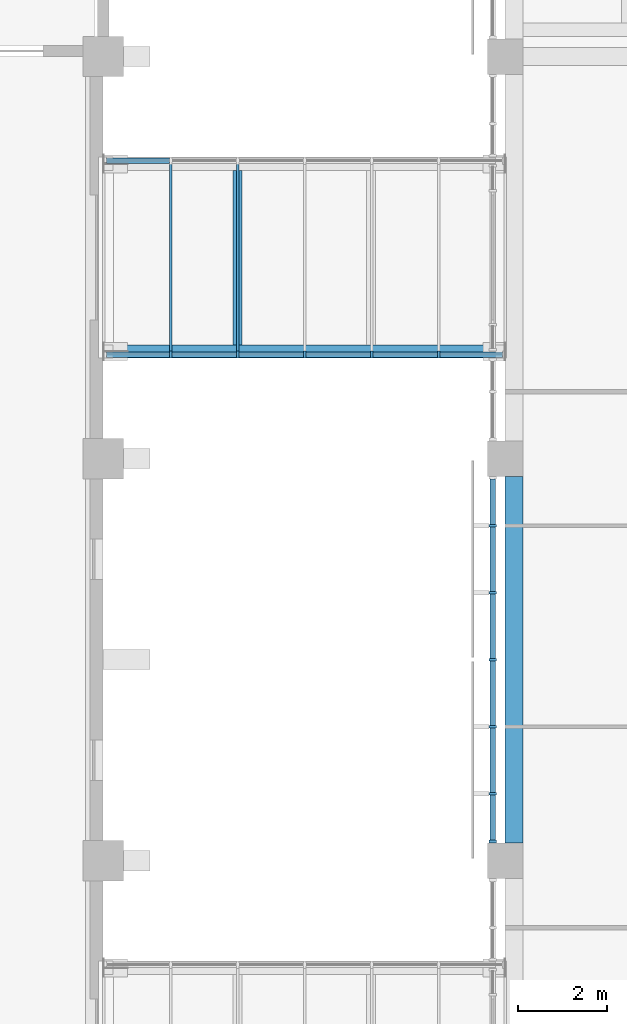
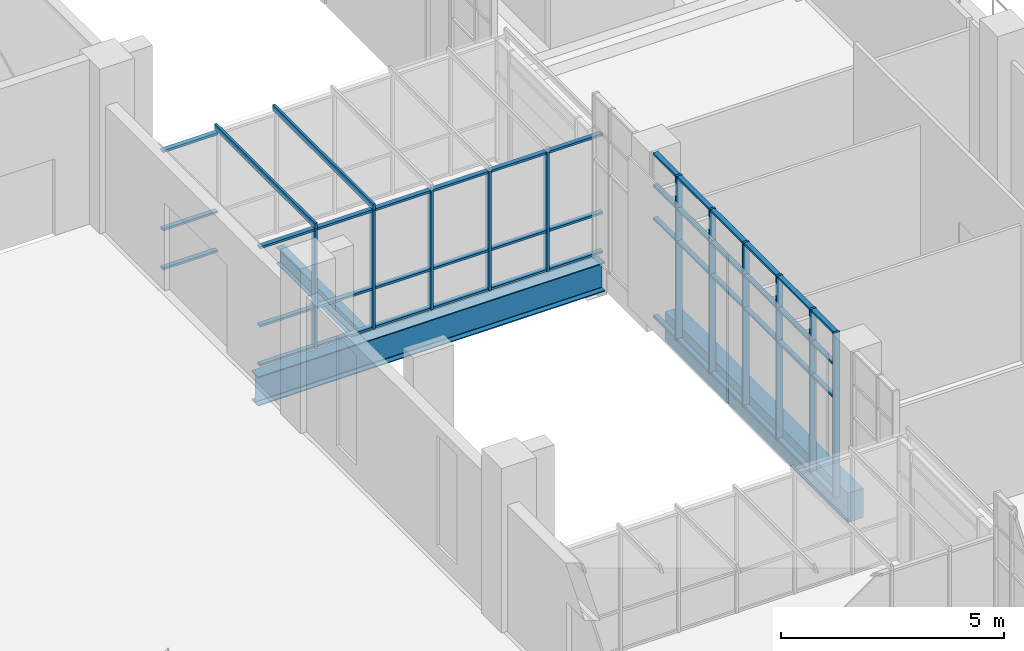
# One storey, part 15 of 88: 58 members, 3 beams, 4 elements without a shape of their own.
"""IFC4 building model written with IfcOpenShell, lengths in metres."""

from ifc_helpers import new_model, si_unit, direction, frame, origin, origin_2d, place, context, subcontext, project, spatial, rectangle, i_section, extrude, material, layer, layer_set, material_profile, profile_set, type_object, element, aggregate, save


model = new_model("IFC4")

# Units and contexts
model_context = context("Model", 3, precision=1e-05, world=origin(), true_north=direction((0.0, 1.0)))
body_context = subcontext(model_context, "Body", "Model", "MODEL_VIEW")
ifc_project = project(units=[si_unit("LENGTHUNIT", "METRE"), si_unit("AREAUNIT", "SQUARE_METRE"), si_unit("VOLUMEUNIT", "CUBIC_METRE"), si_unit("PLANEANGLEUNIT", "RADIAN"), si_unit("MASSUNIT", "GRAM", prefix="KILO")], contexts=[model_context])

# Site, building, storey
site_placement = place(None, origin())
site = spatial("IfcSite", under=ifc_project, at=site_placement, CompositionType="ELEMENT")
building_placement = place(site_placement, origin())
building = spatial("IfcBuilding", under=site, at=building_placement, Name="Guidao Yard Department Store", CompositionType="ELEMENT")
storey_placement = place(building_placement, frame((0.0, 0.0, 6.0)))
storey = spatial("IfcBuildingStorey", under=building, at=storey_placement, Name="L01", CompositionType="ELEMENT", Elevation=6.0)

# Beams
ifc_material_1 = material(Name="Concrete C40", Category="concrete")
ifc_material_profile_1 = material_profile(ifc_material_1, rectangle(XDim=0.39990234375, YDim=0.800048828125, at=origin_2d()), Name="Edge beam 400 x 800 C40")
ifc_profile_set_1 = profile_set([ifc_material_profile_1], Name="Concrete C40")
beam_type_1 = type_object("IfcBeamType", Name="Edge beam 400 x 800 C40", PredefinedType="BEAM", material=ifc_profile_set_1)
beam_1_placement = place(storey_placement, frame((72.199951171875, 63.39990234375, -0.39990234375), z_axis=(0.0, 1.0, 0.0), x_axis=(-1.0, 0.0, 0.0)))
element("IfcBeam", 1, at=beam_1_placement, inside=storey, type_object=beam_type_1, Name="Beam EB29", PredefinedType="BEAM", context=body_context, shape_type="SweptSolid", body=[
    extrude(rectangle(XDim=0.39990234375, YDim=0.800048828125, at=origin_2d()), origin(), (0.0, 0.0, 1.0), 8.2001953125),
])
ifc_material_2 = material(Name="Steel Q355B", Category="steel")
ifc_material_profile_2 = material_profile(ifc_material_2, i_section(OverallWidth=0.199951171875, OverallDepth=0.449951171875, WebThickness=0.009033203125, FlangeThickness=0.013916015625, FilletRadius=0.012939453125, at=origin_2d()), Name="HN 450x200x9x14")
ifc_profile_set_2 = profile_set([ifc_material_profile_2], Name="Steel Q355B")
beam_type_2 = type_object("IfcBeamType", Name="HN 450x200x9x14", PredefinedType="BEAM", material=ifc_profile_set_2)
beam_2_placement = place(storey_placement, frame((66.0048828125, 74.550048828125, -0.47509765625), z_axis=(0.0, 1.0, 0.0), x_axis=(-1.0, 0.0, 0.0)))
element("IfcBeam", 2, at=beam_2_placement, inside=storey, type_object=beam_type_2, Name="Bridge cross beam BR02-1", PredefinedType="BEAM", context=body_context, shape_type="SweptSolid", body=[
    extrude(i_section(OverallWidth=0.199951171875, OverallDepth=0.449951171875, WebThickness=0.009033203125, FlangeThickness=0.013916015625, FilletRadius=0.012939453125, at=origin_2d()), origin(), (0.0, 0.0, 1.0), 3.89990234375),
])
ifc_material_3 = material(Name="Steel Q355B", Category="steel")
ifc_material_profile_3 = material_profile(ifc_material_3, i_section(OverallWidth=0.300048828125, OverallDepth=0.800048828125, WebThickness=0.013916015625, FlangeThickness=0.02587890625, FilletRadius=0.01806640625, at=origin_2d()), Name="HN 800x300x14x26")
ifc_profile_set_3 = profile_set([ifc_material_profile_3], Name="Steel Q355B")
beam_type_3 = type_object("IfcBeamType", Name="HN 800x300x14x26", PredefinedType="BEAM", material=ifc_profile_set_3)
beam_3_placement = place(storey_placement, frame((63.014892578125, 74.39990234375, -0.64990234375), z_axis=(1.0, 0.0, 0.0), x_axis=(0.0, 1.0, 0.0)))
element("IfcBeam", 3, at=beam_3_placement, inside=storey, type_object=beam_type_3, Name="Bridge girder BR02S", PredefinedType="BEAM", context=body_context, shape_type="SweptSolid", body=[
    extrude(i_section(OverallWidth=0.300048828125, OverallDepth=0.800048828125, WebThickness=0.013916015625, FlangeThickness=0.02587890625, FilletRadius=0.01806640625, at=origin_2d()), origin(), (0.0, 0.0, 1.0), 8.97021484375),
])

# Curtain wall, members
ifc_material_4 = material(Name="Aluminium and glass", Category="aluminium")
ifc_layer_1 = layer(ifc_material_4, 0.159912109375)
ifc_layer_set_1 = layer_set([ifc_layer_1], Name="Shopfront curtain wall CW1 1500 module")
curtain_wall_type_1 = type_object("IfcCurtainWallType", Name="Shopfront curtain wall CW1 1500 module", PredefinedType="NOTDEFINED", material=ifc_layer_set_1)
curtain_wall_1_placement = place(storey_placement, origin())
curtain_wall_1 = element("IfcCurtainWall", 4, at=curtain_wall_1_placement, inside=storey, type_object=curtain_wall_type_1, Name="Arcade shop front", PredefinedType="NOTDEFINED")
ifc_material_5 = material(Name="Aluminium 6063-T5", Category="aluminium")
ifc_material_profile_4 = material_profile(ifc_material_5, rectangle(XDim=0.06005859375, YDim=0.159912109375, at=origin_2d()), Name="Mullion M1 60 x 160 aluminium pressure plate")
ifc_profile_set_4 = profile_set([ifc_material_profile_4], Name="Aluminium 6063-T5")
member_type_1 = type_object("IfcMemberType", Name="Mullion M1 60 x 160 aluminium pressure plate", PredefinedType="MULLION", material=ifc_profile_set_4)
member_1_placement = place(storey_placement, frame((71.719970703125, 63.429931640625, 0.0), z_axis=(0.0, 0.0, 1.0), x_axis=(0.0, 1.0, 0.0)))
member_1 = element("IfcMember", 5, at=member_1_placement, type_object=member_type_1, Name="CW-AS-L01-05 mullion 1", PredefinedType="MULLION", context=body_context, shape_type="SweptSolid", body=[
    extrude(rectangle(XDim=0.06005859375, YDim=0.159912109375, at=origin_2d()), origin(), (0.0, 0.0, 1.0), 4.5),
])
member_2_placement = place(storey_placement, frame((71.719970703125, 64.5, 0.0), z_axis=(0.0, 0.0, 1.0), x_axis=(0.0, 1.0, 0.0)))
member_2 = element("IfcMember", 6, at=member_2_placement, type_object=member_type_1, Name="CW-AS-L01-05 mullion 2", PredefinedType="MULLION", context=body_context, shape_type="SweptSolid", body=[
    extrude(rectangle(XDim=0.06005859375, YDim=0.159912109375, at=origin_2d()), origin(), (0.0, 0.0, 1.0), 4.5),
])
member_3_placement = place(storey_placement, frame((71.719970703125, 66.0, 0.0), z_axis=(0.0, 0.0, 1.0), x_axis=(0.0, 1.0, 0.0)))
member_3 = element("IfcMember", 7, at=member_3_placement, type_object=member_type_1, Name="CW-AS-L01-05 mullion 3", PredefinedType="MULLION", context=body_context, shape_type="SweptSolid", body=[
    extrude(rectangle(XDim=0.06005859375, YDim=0.159912109375, at=origin_2d()), origin(), (0.0, 0.0, 1.0), 4.5),
])
member_4_placement = place(storey_placement, frame((71.719970703125, 67.5, 0.0), z_axis=(0.0, 0.0, 1.0), x_axis=(0.0, 1.0, 0.0)))
member_4 = element("IfcMember", 8, at=member_4_placement, type_object=member_type_1, Name="CW-AS-L01-05 mullion 4", PredefinedType="MULLION", context=body_context, shape_type="SweptSolid", body=[
    extrude(rectangle(XDim=0.06005859375, YDim=0.159912109375, at=origin_2d()), origin(), (0.0, 0.0, 1.0), 4.5),
])
member_5_placement = place(storey_placement, frame((71.719970703125, 69.0, 0.0), z_axis=(0.0, 0.0, 1.0), x_axis=(0.0, 1.0, 0.0)))
member_5 = element("IfcMember", 9, at=member_5_placement, type_object=member_type_1, Name="CW-AS-L01-05 mullion 5", PredefinedType="MULLION", context=body_context, shape_type="SweptSolid", body=[
    extrude(rectangle(XDim=0.06005859375, YDim=0.159912109375, at=origin_2d()), origin(), (0.0, 0.0, 1.0), 4.5),
])
member_6_placement = place(storey_placement, frame((71.719970703125, 70.5, 0.0), z_axis=(0.0, 0.0, 1.0), x_axis=(0.0, 1.0, 0.0)))
member_6 = element("IfcMember", 10, at=member_6_placement, type_object=member_type_1, Name="CW-AS-L01-05 mullion 6", PredefinedType="MULLION", context=body_context, shape_type="SweptSolid", body=[
    extrude(rectangle(XDim=0.06005859375, YDim=0.159912109375, at=origin_2d()), origin(), (0.0, 0.0, 1.0), 4.5),
])

ifc_material_6 = material(Name="Aluminium and glass", Category="aluminium")
ifc_layer_2 = layer(ifc_material_6, 0.159912109375)
ifc_layer_set_2 = layer_set([ifc_layer_2], Name="Bridge glazing CW5 1500 module")
curtain_wall_type_2 = type_object("IfcCurtainWallType", Name="Bridge glazing CW5 1500 module", PredefinedType="NOTDEFINED", material=ifc_layer_set_2)
curtain_wall_2_placement = place(storey_placement, origin())
curtain_wall_2 = element("IfcCurtainWall", 11, at=curtain_wall_2_placement, inside=storey, type_object=curtain_wall_type_2, Name="Bridge glazing BR02 S", PredefinedType="NOTDEFINED")
member_7_placement = place(storey_placement, frame((64.514892578125, 74.330078125, 0.0), z_axis=(0.0, 0.0, 1.0), x_axis=(-1.0, 0.0, 0.0)))
member_7 = element("IfcMember", 12, at=member_7_placement, type_object=member_type_1, Name="CW-S-L01-03 mullion 2", PredefinedType="MULLION", context=body_context, shape_type="SweptSolid", body=[
    extrude(rectangle(XDim=0.06005859375, YDim=0.159912109375, at=origin_2d()), origin(), (0.0, 0.0, 1.0), 3.27001953125),
])
member_8_placement = place(storey_placement, frame((66.014892578125, 74.330078125, 0.0), z_axis=(0.0, 0.0, 1.0), x_axis=(-1.0, 0.0, 0.0)))
member_8 = element("IfcMember", 13, at=member_8_placement, type_object=member_type_1, Name="CW-S-L01-03 mullion 3", PredefinedType="MULLION", context=body_context, shape_type="SweptSolid", body=[
    extrude(rectangle(XDim=0.06005859375, YDim=0.159912109375, at=origin_2d()), origin(), (0.0, 0.0, 1.0), 3.27001953125),
])
member_9_placement = place(storey_placement, frame((67.514892578125, 74.330078125, 0.0), z_axis=(0.0, 0.0, 1.0), x_axis=(-1.0, 0.0, 0.0)))
member_9 = element("IfcMember", 14, at=member_9_placement, type_object=member_type_1, Name="CW-S-L01-03 mullion 4", PredefinedType="MULLION", context=body_context, shape_type="SweptSolid", body=[
    extrude(rectangle(XDim=0.06005859375, YDim=0.159912109375, at=origin_2d()), origin(), (0.0, 0.0, 1.0), 3.27001953125),
])
member_10_placement = place(storey_placement, frame((69.014892578125, 74.330078125, 0.0), z_axis=(0.0, 0.0, 1.0), x_axis=(-1.0, 0.0, 0.0)))
member_10 = element("IfcMember", 15, at=member_10_placement, type_object=member_type_1, Name="CW-S-L01-03 mullion 5", PredefinedType="MULLION", context=body_context, shape_type="SweptSolid", body=[
    extrude(rectangle(XDim=0.06005859375, YDim=0.159912109375, at=origin_2d()), origin(), (0.0, 0.0, 1.0), 3.27001953125),
])
member_11_placement = place(storey_placement, frame((70.514892578125, 74.330078125, 0.0), z_axis=(0.0, 0.0, 1.0), x_axis=(-1.0, 0.0, 0.0)))
member_11 = element("IfcMember", 16, at=member_11_placement, type_object=member_type_1, Name="CW-S-L01-03 mullion 6", PredefinedType="MULLION", context=body_context, shape_type="SweptSolid", body=[
    extrude(rectangle(XDim=0.06005859375, YDim=0.159912109375, at=origin_2d()), origin(), (0.0, 0.0, 1.0), 3.27001953125),
])

curtain_wall_3_placement = place(storey_placement, origin())
curtain_wall_3 = element("IfcCurtainWall", 17, at=curtain_wall_3_placement, inside=storey, type_object=curtain_wall_type_2, Name="Bridge roof glazing BR02", PredefinedType="NOTDEFINED")
ifc_material_7 = material(Name="Aluminium 6063-T5", Category="aluminium")
ifc_material_profile_5 = material_profile(ifc_material_7, rectangle(XDim=0.06005859375, YDim=0.159912109375, at=origin_2d()), Name="Roof bar RB1 60 x 160 aluminium")
ifc_profile_set_5 = profile_set([ifc_material_profile_5], Name="Aluminium 6063-T5")
member_type_2 = type_object("IfcMemberType", Name="Roof bar RB1 60 x 160 aluminium", PredefinedType="USERDEFINED", material=ifc_profile_set_5)
member_12_placement = place(storey_placement, frame((64.514892578125, 74.25, 3.35009765625), z_axis=(0.0, 1.0, 0.0), x_axis=(-1.0, 0.0, 0.0)))
member_12 = element("IfcMember", 18, at=member_12_placement, type_object=member_type_2, Name="Bridge roof bar BR02", ObjectType="TRANSOM", PredefinedType="USERDEFINED", context=body_context, shape_type="SweptSolid", body=[
    extrude(rectangle(XDim=0.06005859375, YDim=0.159912109375, at=origin_2d()), origin(), (0.0, 0.0, 1.0), 4.5),
])
member_13_placement = place(storey_placement, frame((66.014892578125, 74.25, 3.35009765625), z_axis=(0.0, 1.0, 0.0), x_axis=(-1.0, 0.0, 0.0)))
member_13 = element("IfcMember", 19, at=member_13_placement, type_object=member_type_2, Name="Bridge roof bar BR02", ObjectType="TRANSOM", PredefinedType="USERDEFINED", context=body_context, shape_type="SweptSolid", body=[
    extrude(rectangle(XDim=0.06005859375, YDim=0.159912109375, at=origin_2d()), origin(), (0.0, 0.0, 1.0), 4.5),
])
aggregate(curtain_wall_3, [member_12, member_13])

# Member
ifc_material_8 = material(Name="Aluminium 6063-T5", Category="aluminium")
ifc_material_profile_6 = material_profile(ifc_material_8, rectangle(XDim=0.1201171875, YDim=0.06005859375, at=origin_2d()), Name="Transom T1 60 x 120 aluminium pressure plate")
ifc_profile_set_6 = profile_set([ifc_material_profile_6], Name="Aluminium 6063-T5")
member_type_3 = type_object("IfcMemberType", Name="Transom T1 60 x 120 aluminium pressure plate", PredefinedType="USERDEFINED", material=ifc_profile_set_6)
member_14_placement = place(storey_placement, frame((71.719970703125, 63.4599609375, 0.030029296875), z_axis=(0.0, 1.0, 0.0), x_axis=(-1.0, 0.0, 0.0)))
member_14 = element("IfcMember", 20, at=member_14_placement, type_object=member_type_3, Name="CW-AS-L01-05 transom 1.1", ObjectType="TRANSOM", PredefinedType="USERDEFINED", context=body_context, shape_type="SweptSolid", body=[
    extrude(rectangle(XDim=0.1201171875, YDim=0.06005859375, at=origin_2d()), origin(), (0.0, 0.0, 1.0), 1.010009765625),
])

member_15_placement = place(storey_placement, frame((71.719970703125, 63.4599609375, 2.699951171875), z_axis=(0.0, 1.0, 0.0), x_axis=(-1.0, 0.0, 0.0)))
member_15 = element("IfcMember", 21, at=member_15_placement, type_object=member_type_3, Name="CW-AS-L01-05 transom 1.2", ObjectType="TRANSOM", PredefinedType="USERDEFINED", context=body_context, shape_type="SweptSolid", body=[
    extrude(rectangle(XDim=0.1201171875, YDim=0.06005859375, at=origin_2d()), origin(), (0.0, 0.0, 1.0), 1.010009765625),
])

member_16_placement = place(storey_placement, frame((71.719970703125, 63.4599609375, 3.60009765625), z_axis=(0.0, 1.0, 0.0), x_axis=(-1.0, 0.0, 0.0)))
member_16 = element("IfcMember", 22, at=member_16_placement, type_object=member_type_3, Name="CW-AS-L01-05 transom 1.3", ObjectType="TRANSOM", PredefinedType="USERDEFINED", context=body_context, shape_type="SweptSolid", body=[
    extrude(rectangle(XDim=0.1201171875, YDim=0.06005859375, at=origin_2d()), origin(), (0.0, 0.0, 1.0), 1.010009765625),
])

member_17_placement = place(storey_placement, frame((71.719970703125, 63.4599609375, 4.469970703125), z_axis=(0.0, 1.0, 0.0), x_axis=(-1.0, 0.0, 0.0)))
member_17 = element("IfcMember", 23, at=member_17_placement, type_object=member_type_3, Name="CW-AS-L01-05 transom 1.4", ObjectType="TRANSOM", PredefinedType="USERDEFINED", context=body_context, shape_type="SweptSolid", body=[
    extrude(rectangle(XDim=0.1201171875, YDim=0.06005859375, at=origin_2d()), origin(), (0.0, 0.0, 1.0), 1.010009765625),
])

member_18_placement = place(storey_placement, frame((71.719970703125, 64.530029296875, 0.030029296875), z_axis=(0.0, 1.0, 0.0), x_axis=(-1.0, 0.0, 0.0)))
member_18 = element("IfcMember", 24, at=member_18_placement, type_object=member_type_3, Name="CW-AS-L01-05 transom 2.1", ObjectType="TRANSOM", PredefinedType="USERDEFINED", context=body_context, shape_type="SweptSolid", body=[
    extrude(rectangle(XDim=0.1201171875, YDim=0.06005859375, at=origin_2d()), origin(), (0.0, 0.0, 1.0), 1.43994140625),
])

member_19_placement = place(storey_placement, frame((71.719970703125, 64.530029296875, 2.699951171875), z_axis=(0.0, 1.0, 0.0), x_axis=(-1.0, 0.0, 0.0)))
member_19 = element("IfcMember", 25, at=member_19_placement, type_object=member_type_3, Name="CW-AS-L01-05 transom 2.2", ObjectType="TRANSOM", PredefinedType="USERDEFINED", context=body_context, shape_type="SweptSolid", body=[
    extrude(rectangle(XDim=0.1201171875, YDim=0.06005859375, at=origin_2d()), origin(), (0.0, 0.0, 1.0), 1.43994140625),
])

member_20_placement = place(storey_placement, frame((71.719970703125, 64.530029296875, 3.60009765625), z_axis=(0.0, 1.0, 0.0), x_axis=(-1.0, 0.0, 0.0)))
member_20 = element("IfcMember", 26, at=member_20_placement, type_object=member_type_3, Name="CW-AS-L01-05 transom 2.3", ObjectType="TRANSOM", PredefinedType="USERDEFINED", context=body_context, shape_type="SweptSolid", body=[
    extrude(rectangle(XDim=0.1201171875, YDim=0.06005859375, at=origin_2d()), origin(), (0.0, 0.0, 1.0), 1.43994140625),
])

member_21_placement = place(storey_placement, frame((71.719970703125, 64.530029296875, 4.469970703125), z_axis=(0.0, 1.0, 0.0), x_axis=(-1.0, 0.0, 0.0)))
member_21 = element("IfcMember", 27, at=member_21_placement, type_object=member_type_3, Name="CW-AS-L01-05 transom 2.4", ObjectType="TRANSOM", PredefinedType="USERDEFINED", context=body_context, shape_type="SweptSolid", body=[
    extrude(rectangle(XDim=0.1201171875, YDim=0.06005859375, at=origin_2d()), origin(), (0.0, 0.0, 1.0), 1.43994140625),
])

member_22_placement = place(storey_placement, frame((71.719970703125, 66.030029296875, 0.030029296875), z_axis=(0.0, 1.0, 0.0), x_axis=(-1.0, 0.0, 0.0)))
member_22 = element("IfcMember", 28, at=member_22_placement, type_object=member_type_3, Name="CW-AS-L01-05 transom 3.1", ObjectType="TRANSOM", PredefinedType="USERDEFINED", context=body_context, shape_type="SweptSolid", body=[
    extrude(rectangle(XDim=0.1201171875, YDim=0.06005859375, at=origin_2d()), origin(), (0.0, 0.0, 1.0), 1.43994140625),
])

member_23_placement = place(storey_placement, frame((71.719970703125, 66.030029296875, 2.699951171875), z_axis=(0.0, 1.0, 0.0), x_axis=(-1.0, 0.0, 0.0)))
member_23 = element("IfcMember", 29, at=member_23_placement, type_object=member_type_3, Name="CW-AS-L01-05 transom 3.2", ObjectType="TRANSOM", PredefinedType="USERDEFINED", context=body_context, shape_type="SweptSolid", body=[
    extrude(rectangle(XDim=0.1201171875, YDim=0.06005859375, at=origin_2d()), origin(), (0.0, 0.0, 1.0), 1.43994140625),
])

member_24_placement = place(storey_placement, frame((71.719970703125, 66.030029296875, 3.60009765625), z_axis=(0.0, 1.0, 0.0), x_axis=(-1.0, 0.0, 0.0)))
member_24 = element("IfcMember", 30, at=member_24_placement, type_object=member_type_3, Name="CW-AS-L01-05 transom 3.3", ObjectType="TRANSOM", PredefinedType="USERDEFINED", context=body_context, shape_type="SweptSolid", body=[
    extrude(rectangle(XDim=0.1201171875, YDim=0.06005859375, at=origin_2d()), origin(), (0.0, 0.0, 1.0), 1.43994140625),
])

member_25_placement = place(storey_placement, frame((71.719970703125, 66.030029296875, 4.469970703125), z_axis=(0.0, 1.0, 0.0), x_axis=(-1.0, 0.0, 0.0)))
member_25 = element("IfcMember", 31, at=member_25_placement, type_object=member_type_3, Name="CW-AS-L01-05 transom 3.4", ObjectType="TRANSOM", PredefinedType="USERDEFINED", context=body_context, shape_type="SweptSolid", body=[
    extrude(rectangle(XDim=0.1201171875, YDim=0.06005859375, at=origin_2d()), origin(), (0.0, 0.0, 1.0), 1.43994140625),
])

member_26_placement = place(storey_placement, frame((71.719970703125, 67.530029296875, 0.030029296875), z_axis=(0.0, 1.0, 0.0), x_axis=(-1.0, 0.0, 0.0)))
member_26 = element("IfcMember", 32, at=member_26_placement, type_object=member_type_3, Name="CW-AS-L01-05 transom 4.1", ObjectType="TRANSOM", PredefinedType="USERDEFINED", context=body_context, shape_type="SweptSolid", body=[
    extrude(rectangle(XDim=0.1201171875, YDim=0.06005859375, at=origin_2d()), origin(), (0.0, 0.0, 1.0), 1.43994140625),
])

member_27_placement = place(storey_placement, frame((71.719970703125, 67.530029296875, 2.699951171875), z_axis=(0.0, 1.0, 0.0), x_axis=(-1.0, 0.0, 0.0)))
member_27 = element("IfcMember", 33, at=member_27_placement, type_object=member_type_3, Name="CW-AS-L01-05 transom 4.2", ObjectType="TRANSOM", PredefinedType="USERDEFINED", context=body_context, shape_type="SweptSolid", body=[
    extrude(rectangle(XDim=0.1201171875, YDim=0.06005859375, at=origin_2d()), origin(), (0.0, 0.0, 1.0), 1.43994140625),
])

member_28_placement = place(storey_placement, frame((71.719970703125, 67.530029296875, 3.60009765625), z_axis=(0.0, 1.0, 0.0), x_axis=(-1.0, 0.0, 0.0)))
member_28 = element("IfcMember", 34, at=member_28_placement, type_object=member_type_3, Name="CW-AS-L01-05 transom 4.3", ObjectType="TRANSOM", PredefinedType="USERDEFINED", context=body_context, shape_type="SweptSolid", body=[
    extrude(rectangle(XDim=0.1201171875, YDim=0.06005859375, at=origin_2d()), origin(), (0.0, 0.0, 1.0), 1.43994140625),
])

member_29_placement = place(storey_placement, frame((71.719970703125, 67.530029296875, 4.469970703125), z_axis=(0.0, 1.0, 0.0), x_axis=(-1.0, 0.0, 0.0)))
member_29 = element("IfcMember", 35, at=member_29_placement, type_object=member_type_3, Name="CW-AS-L01-05 transom 4.4", ObjectType="TRANSOM", PredefinedType="USERDEFINED", context=body_context, shape_type="SweptSolid", body=[
    extrude(rectangle(XDim=0.1201171875, YDim=0.06005859375, at=origin_2d()), origin(), (0.0, 0.0, 1.0), 1.43994140625),
])

member_30_placement = place(storey_placement, frame((71.719970703125, 69.030029296875, 0.030029296875), z_axis=(0.0, 1.0, 0.0), x_axis=(-1.0, 0.0, 0.0)))
member_30 = element("IfcMember", 36, at=member_30_placement, type_object=member_type_3, Name="CW-AS-L01-05 transom 5.1", ObjectType="TRANSOM", PredefinedType="USERDEFINED", context=body_context, shape_type="SweptSolid", body=[
    extrude(rectangle(XDim=0.1201171875, YDim=0.06005859375, at=origin_2d()), origin(), (0.0, 0.0, 1.0), 1.43994140625),
])

member_31_placement = place(storey_placement, frame((71.719970703125, 69.030029296875, 2.699951171875), z_axis=(0.0, 1.0, 0.0), x_axis=(-1.0, 0.0, 0.0)))
member_31 = element("IfcMember", 37, at=member_31_placement, type_object=member_type_3, Name="CW-AS-L01-05 transom 5.2", ObjectType="TRANSOM", PredefinedType="USERDEFINED", context=body_context, shape_type="SweptSolid", body=[
    extrude(rectangle(XDim=0.1201171875, YDim=0.06005859375, at=origin_2d()), origin(), (0.0, 0.0, 1.0), 1.43994140625),
])

member_32_placement = place(storey_placement, frame((71.719970703125, 69.030029296875, 3.60009765625), z_axis=(0.0, 1.0, 0.0), x_axis=(-1.0, 0.0, 0.0)))
member_32 = element("IfcMember", 38, at=member_32_placement, type_object=member_type_3, Name="CW-AS-L01-05 transom 5.3", ObjectType="TRANSOM", PredefinedType="USERDEFINED", context=body_context, shape_type="SweptSolid", body=[
    extrude(rectangle(XDim=0.1201171875, YDim=0.06005859375, at=origin_2d()), origin(), (0.0, 0.0, 1.0), 1.43994140625),
])

member_33_placement = place(storey_placement, frame((71.719970703125, 69.030029296875, 4.469970703125), z_axis=(0.0, 1.0, 0.0), x_axis=(-1.0, 0.0, 0.0)))
member_33 = element("IfcMember", 39, at=member_33_placement, type_object=member_type_3, Name="CW-AS-L01-05 transom 5.4", ObjectType="TRANSOM", PredefinedType="USERDEFINED", context=body_context, shape_type="SweptSolid", body=[
    extrude(rectangle(XDim=0.1201171875, YDim=0.06005859375, at=origin_2d()), origin(), (0.0, 0.0, 1.0), 1.43994140625),
])

member_34_placement = place(storey_placement, frame((71.719970703125, 70.530029296875, 0.030029296875), z_axis=(0.0, 1.0, 0.0), x_axis=(-1.0, 0.0, 0.0)))
member_34 = element("IfcMember", 40, at=member_34_placement, type_object=member_type_3, Name="CW-AS-L01-05 transom 6.1", ObjectType="TRANSOM", PredefinedType="USERDEFINED", context=body_context, shape_type="SweptSolid", body=[
    extrude(rectangle(XDim=0.1201171875, YDim=0.06005859375, at=origin_2d()), origin(), (0.0, 0.0, 1.0), 1.010009765625),
])

member_35_placement = place(storey_placement, frame((71.719970703125, 70.530029296875, 2.699951171875), z_axis=(0.0, 1.0, 0.0), x_axis=(-1.0, 0.0, 0.0)))
member_35 = element("IfcMember", 41, at=member_35_placement, type_object=member_type_3, Name="CW-AS-L01-05 transom 6.2", ObjectType="TRANSOM", PredefinedType="USERDEFINED", context=body_context, shape_type="SweptSolid", body=[
    extrude(rectangle(XDim=0.1201171875, YDim=0.06005859375, at=origin_2d()), origin(), (0.0, 0.0, 1.0), 1.010009765625),
])

member_36_placement = place(storey_placement, frame((71.719970703125, 70.530029296875, 3.60009765625), z_axis=(0.0, 1.0, 0.0), x_axis=(-1.0, 0.0, 0.0)))
member_36 = element("IfcMember", 42, at=member_36_placement, type_object=member_type_3, Name="CW-AS-L01-05 transom 6.3", ObjectType="TRANSOM", PredefinedType="USERDEFINED", context=body_context, shape_type="SweptSolid", body=[
    extrude(rectangle(XDim=0.1201171875, YDim=0.06005859375, at=origin_2d()), origin(), (0.0, 0.0, 1.0), 1.010009765625),
])

member_37_placement = place(storey_placement, frame((71.719970703125, 70.530029296875, 4.469970703125), z_axis=(0.0, 1.0, 0.0), x_axis=(-1.0, 0.0, 0.0)))
member_37 = element("IfcMember", 43, at=member_37_placement, type_object=member_type_3, Name="CW-AS-L01-05 transom 6.4", ObjectType="TRANSOM", PredefinedType="USERDEFINED", context=body_context, shape_type="SweptSolid", body=[
    extrude(rectangle(XDim=0.1201171875, YDim=0.06005859375, at=origin_2d()), origin(), (0.0, 0.0, 1.0), 1.010009765625),
])

aggregate(curtain_wall_1, [member_1, member_2, member_3, member_4, member_5, member_6, member_14, member_15, member_16, member_17, member_18, member_19, member_20, member_21, member_22, member_23, member_24, member_25, member_26, member_27, member_28, member_29, member_30, member_31, member_32, member_33, member_34, member_35, member_36, member_37])

member_38_placement = place(storey_placement, frame((64.485107421875, 74.330078125, 0.030029296875), z_axis=(-1.0, 0.0, 0.0), x_axis=(0.0, -1.0, 0.0)))
member_38 = element("IfcMember", 44, at=member_38_placement, type_object=member_type_3, Name="CW-S-L01-03 transom 1.1", ObjectType="TRANSOM", PredefinedType="USERDEFINED", context=body_context, shape_type="SweptSolid", body=[
    extrude(rectangle(XDim=0.1201171875, YDim=0.06005859375, at=origin_2d()), origin(), (0.0, 0.0, 1.0), 1.41015625),
])

member_39_placement = place(storey_placement, frame((64.485107421875, 74.330078125, 1.10009765625), z_axis=(-1.0, 0.0, 0.0), x_axis=(0.0, -1.0, 0.0)))
member_39 = element("IfcMember", 45, at=member_39_placement, type_object=member_type_3, Name="CW-S-L01-03 transom 1.2", ObjectType="TRANSOM", PredefinedType="USERDEFINED", context=body_context, shape_type="SweptSolid", body=[
    extrude(rectangle(XDim=0.1201171875, YDim=0.06005859375, at=origin_2d()), origin(), (0.0, 0.0, 1.0), 1.41015625),
])

member_40_placement = place(storey_placement, frame((64.485107421875, 74.330078125, 3.239990234375), z_axis=(-1.0, 0.0, 0.0), x_axis=(0.0, -1.0, 0.0)))
member_40 = element("IfcMember", 46, at=member_40_placement, type_object=member_type_3, Name="CW-S-L01-03 transom 1.3", ObjectType="TRANSOM", PredefinedType="USERDEFINED", context=body_context, shape_type="SweptSolid", body=[
    extrude(rectangle(XDim=0.1201171875, YDim=0.06005859375, at=origin_2d()), origin(), (0.0, 0.0, 1.0), 1.41015625),
])

member_41_placement = place(storey_placement, frame((65.985107421875, 74.330078125, 0.030029296875), z_axis=(-1.0, 0.0, 0.0), x_axis=(0.0, -1.0, 0.0)))
member_41 = element("IfcMember", 47, at=member_41_placement, type_object=member_type_3, Name="CW-S-L01-03 transom 2.1", ObjectType="TRANSOM", PredefinedType="USERDEFINED", context=body_context, shape_type="SweptSolid", body=[
    extrude(rectangle(XDim=0.1201171875, YDim=0.06005859375, at=origin_2d()), origin(), (0.0, 0.0, 1.0), 1.440185546875),
])

member_42_placement = place(storey_placement, frame((65.985107421875, 74.330078125, 1.10009765625), z_axis=(-1.0, 0.0, 0.0), x_axis=(0.0, -1.0, 0.0)))
member_42 = element("IfcMember", 48, at=member_42_placement, type_object=member_type_3, Name="CW-S-L01-03 transom 2.2", ObjectType="TRANSOM", PredefinedType="USERDEFINED", context=body_context, shape_type="SweptSolid", body=[
    extrude(rectangle(XDim=0.1201171875, YDim=0.06005859375, at=origin_2d()), origin(), (0.0, 0.0, 1.0), 1.440185546875),
])

member_43_placement = place(storey_placement, frame((65.985107421875, 74.330078125, 3.239990234375), z_axis=(-1.0, 0.0, 0.0), x_axis=(0.0, -1.0, 0.0)))
member_43 = element("IfcMember", 49, at=member_43_placement, type_object=member_type_3, Name="CW-S-L01-03 transom 2.3", ObjectType="TRANSOM", PredefinedType="USERDEFINED", context=body_context, shape_type="SweptSolid", body=[
    extrude(rectangle(XDim=0.1201171875, YDim=0.06005859375, at=origin_2d()), origin(), (0.0, 0.0, 1.0), 1.440185546875),
])

member_44_placement = place(storey_placement, frame((67.485107421875, 74.330078125, 0.030029296875), z_axis=(-1.0, 0.0, 0.0), x_axis=(0.0, -1.0, 0.0)))
member_44 = element("IfcMember", 50, at=member_44_placement, type_object=member_type_3, Name="CW-S-L01-03 transom 3.1", ObjectType="TRANSOM", PredefinedType="USERDEFINED", context=body_context, shape_type="SweptSolid", body=[
    extrude(rectangle(XDim=0.1201171875, YDim=0.06005859375, at=origin_2d()), origin(), (0.0, 0.0, 1.0), 1.440185546875),
])

member_45_placement = place(storey_placement, frame((67.485107421875, 74.330078125, 1.10009765625), z_axis=(-1.0, 0.0, 0.0), x_axis=(0.0, -1.0, 0.0)))
member_45 = element("IfcMember", 51, at=member_45_placement, type_object=member_type_3, Name="CW-S-L01-03 transom 3.2", ObjectType="TRANSOM", PredefinedType="USERDEFINED", context=body_context, shape_type="SweptSolid", body=[
    extrude(rectangle(XDim=0.1201171875, YDim=0.06005859375, at=origin_2d()), origin(), (0.0, 0.0, 1.0), 1.440185546875),
])

member_46_placement = place(storey_placement, frame((67.485107421875, 74.330078125, 3.239990234375), z_axis=(-1.0, 0.0, 0.0), x_axis=(0.0, -1.0, 0.0)))
member_46 = element("IfcMember", 52, at=member_46_placement, type_object=member_type_3, Name="CW-S-L01-03 transom 3.3", ObjectType="TRANSOM", PredefinedType="USERDEFINED", context=body_context, shape_type="SweptSolid", body=[
    extrude(rectangle(XDim=0.1201171875, YDim=0.06005859375, at=origin_2d()), origin(), (0.0, 0.0, 1.0), 1.440185546875),
])

member_47_placement = place(storey_placement, frame((68.985107421875, 74.330078125, 0.030029296875), z_axis=(-1.0, 0.0, 0.0), x_axis=(0.0, -1.0, 0.0)))
member_47 = element("IfcMember", 53, at=member_47_placement, type_object=member_type_3, Name="CW-S-L01-03 transom 4.1", ObjectType="TRANSOM", PredefinedType="USERDEFINED", context=body_context, shape_type="SweptSolid", body=[
    extrude(rectangle(XDim=0.1201171875, YDim=0.06005859375, at=origin_2d()), origin(), (0.0, 0.0, 1.0), 1.440185546875),
])

member_48_placement = place(storey_placement, frame((68.985107421875, 74.330078125, 1.10009765625), z_axis=(-1.0, 0.0, 0.0), x_axis=(0.0, -1.0, 0.0)))
member_48 = element("IfcMember", 54, at=member_48_placement, type_object=member_type_3, Name="CW-S-L01-03 transom 4.2", ObjectType="TRANSOM", PredefinedType="USERDEFINED", context=body_context, shape_type="SweptSolid", body=[
    extrude(rectangle(XDim=0.1201171875, YDim=0.06005859375, at=origin_2d()), origin(), (0.0, 0.0, 1.0), 1.440185546875),
])

member_49_placement = place(storey_placement, frame((68.985107421875, 74.330078125, 3.239990234375), z_axis=(-1.0, 0.0, 0.0), x_axis=(0.0, -1.0, 0.0)))
member_49 = element("IfcMember", 55, at=member_49_placement, type_object=member_type_3, Name="CW-S-L01-03 transom 4.3", ObjectType="TRANSOM", PredefinedType="USERDEFINED", context=body_context, shape_type="SweptSolid", body=[
    extrude(rectangle(XDim=0.1201171875, YDim=0.06005859375, at=origin_2d()), origin(), (0.0, 0.0, 1.0), 1.440185546875),
])

member_50_placement = place(storey_placement, frame((70.485107421875, 74.330078125, 0.030029296875), z_axis=(-1.0, 0.0, 0.0), x_axis=(0.0, -1.0, 0.0)))
member_50 = element("IfcMember", 56, at=member_50_placement, type_object=member_type_3, Name="CW-S-L01-03 transom 5.1", ObjectType="TRANSOM", PredefinedType="USERDEFINED", context=body_context, shape_type="SweptSolid", body=[
    extrude(rectangle(XDim=0.1201171875, YDim=0.06005859375, at=origin_2d()), origin(), (0.0, 0.0, 1.0), 1.440185546875),
])

member_51_placement = place(storey_placement, frame((70.485107421875, 74.330078125, 1.10009765625), z_axis=(-1.0, 0.0, 0.0), x_axis=(0.0, -1.0, 0.0)))
member_51 = element("IfcMember", 57, at=member_51_placement, type_object=member_type_3, Name="CW-S-L01-03 transom 5.2", ObjectType="TRANSOM", PredefinedType="USERDEFINED", context=body_context, shape_type="SweptSolid", body=[
    extrude(rectangle(XDim=0.1201171875, YDim=0.06005859375, at=origin_2d()), origin(), (0.0, 0.0, 1.0), 1.440185546875),
])

member_52_placement = place(storey_placement, frame((70.485107421875, 74.330078125, 3.239990234375), z_axis=(-1.0, 0.0, 0.0), x_axis=(0.0, -1.0, 0.0)))
member_52 = element("IfcMember", 58, at=member_52_placement, type_object=member_type_3, Name="CW-S-L01-03 transom 5.3", ObjectType="TRANSOM", PredefinedType="USERDEFINED", context=body_context, shape_type="SweptSolid", body=[
    extrude(rectangle(XDim=0.1201171875, YDim=0.06005859375, at=origin_2d()), origin(), (0.0, 0.0, 1.0), 1.440185546875),
])

member_53_placement = place(storey_placement, frame((71.93994140625, 74.330078125, 0.030029296875), z_axis=(-1.0, 0.0, 0.0), x_axis=(0.0, -1.0, 0.0)))
member_53 = element("IfcMember", 59, at=member_53_placement, type_object=member_type_3, Name="CW-S-L01-03 transom 6.1", ObjectType="TRANSOM", PredefinedType="USERDEFINED", context=body_context, shape_type="SweptSolid", body=[
    extrude(rectangle(XDim=0.1201171875, YDim=0.06005859375, at=origin_2d()), origin(), (0.0, 0.0, 1.0), 1.39501953125),
])

member_54_placement = place(storey_placement, frame((71.93994140625, 74.330078125, 1.10009765625), z_axis=(-1.0, 0.0, 0.0), x_axis=(0.0, -1.0, 0.0)))
member_54 = element("IfcMember", 60, at=member_54_placement, type_object=member_type_3, Name="CW-S-L01-03 transom 6.2", ObjectType="TRANSOM", PredefinedType="USERDEFINED", context=body_context, shape_type="SweptSolid", body=[
    extrude(rectangle(XDim=0.1201171875, YDim=0.06005859375, at=origin_2d()), origin(), (0.0, 0.0, 1.0), 1.39501953125),
])

member_55_placement = place(storey_placement, frame((71.93994140625, 74.330078125, 3.239990234375), z_axis=(-1.0, 0.0, 0.0), x_axis=(0.0, -1.0, 0.0)))
member_55 = element("IfcMember", 61, at=member_55_placement, type_object=member_type_3, Name="CW-S-L01-03 transom 6.3", ObjectType="TRANSOM", PredefinedType="USERDEFINED", context=body_context, shape_type="SweptSolid", body=[
    extrude(rectangle(XDim=0.1201171875, YDim=0.06005859375, at=origin_2d()), origin(), (0.0, 0.0, 1.0), 1.39501953125),
])

aggregate(curtain_wall_2, [member_7, member_8, member_9, member_10, member_11, member_38, member_39, member_40, member_41, member_42, member_43, member_44, member_45, member_46, member_47, member_48, member_49, member_50, member_51, member_52, member_53, member_54, member_55])

# Curtain wall, members
curtain_wall_4_placement = place(storey_placement, origin())
curtain_wall_4 = element("IfcCurtainWall", 62, at=curtain_wall_4_placement, inside=storey, type_object=curtain_wall_type_2, Name="Bridge glazing BR02 N", PredefinedType="NOTDEFINED")
member_56_placement = place(storey_placement, frame((63.074951171875, 78.669921875, 0.030029296875), z_axis=(1.0, 0.0, 0.0), x_axis=(0.0, 1.0, 0.0)))
member_56 = element("IfcMember", 63, at=member_56_placement, type_object=member_type_3, Name="CW-N-L01-04 transom 1.1", ObjectType="TRANSOM", PredefinedType="USERDEFINED", context=body_context, shape_type="SweptSolid", body=[
    extrude(rectangle(XDim=0.1201171875, YDim=0.06005859375, at=origin_2d()), origin(), (0.0, 0.0, 1.0), 1.41015625),
])
member_57_placement = place(storey_placement, frame((63.074951171875, 78.669921875, 1.10009765625), z_axis=(1.0, 0.0, 0.0), x_axis=(0.0, 1.0, 0.0)))
member_57 = element("IfcMember", 64, at=member_57_placement, type_object=member_type_3, Name="CW-N-L01-04 transom 1.2", ObjectType="TRANSOM", PredefinedType="USERDEFINED", context=body_context, shape_type="SweptSolid", body=[
    extrude(rectangle(XDim=0.1201171875, YDim=0.06005859375, at=origin_2d()), origin(), (0.0, 0.0, 1.0), 1.41015625),
])
member_58_placement = place(storey_placement, frame((63.074951171875, 78.669921875, 3.239990234375), z_axis=(1.0, 0.0, 0.0), x_axis=(0.0, 1.0, 0.0)))
member_58 = element("IfcMember", 65, at=member_58_placement, type_object=member_type_3, Name="CW-N-L01-04 transom 1.3", ObjectType="TRANSOM", PredefinedType="USERDEFINED", context=body_context, shape_type="SweptSolid", body=[
    extrude(rectangle(XDim=0.1201171875, YDim=0.06005859375, at=origin_2d()), origin(), (0.0, 0.0, 1.0), 1.41015625),
])
aggregate(curtain_wall_4, [member_56, member_57, member_58])

save(model, "model.ifc")
